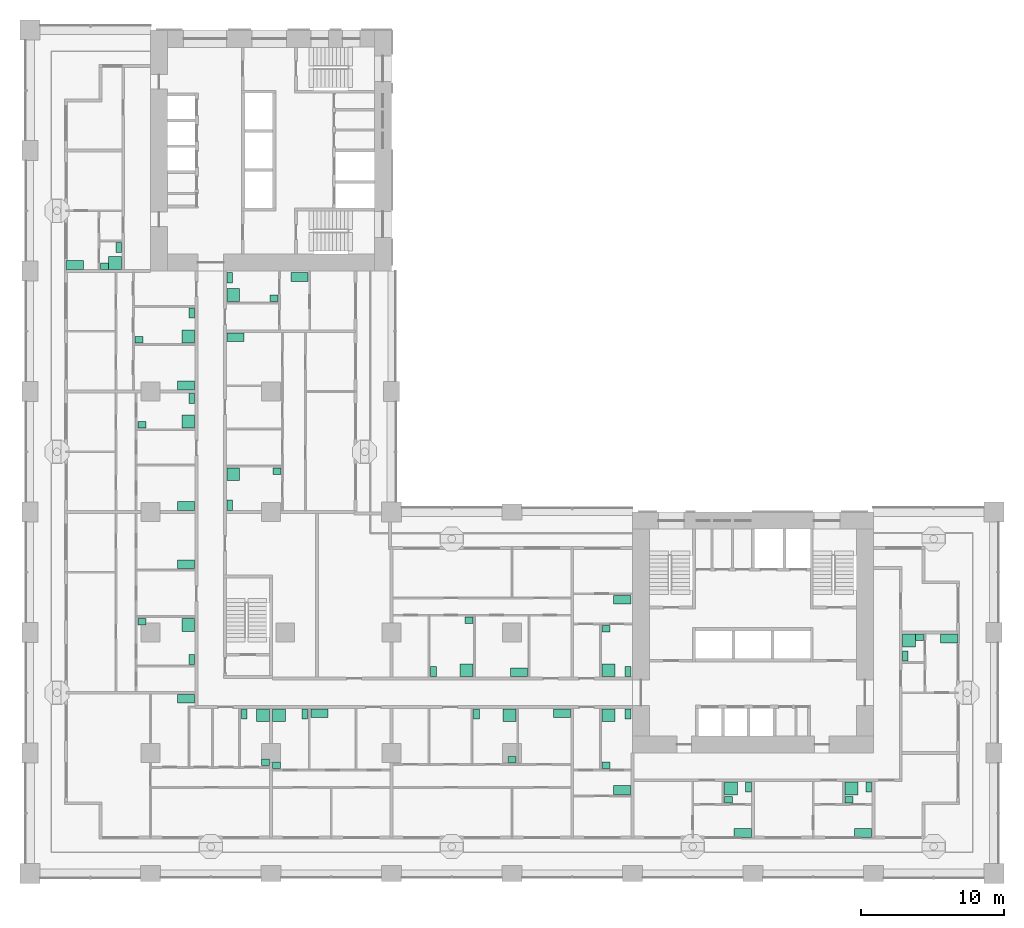
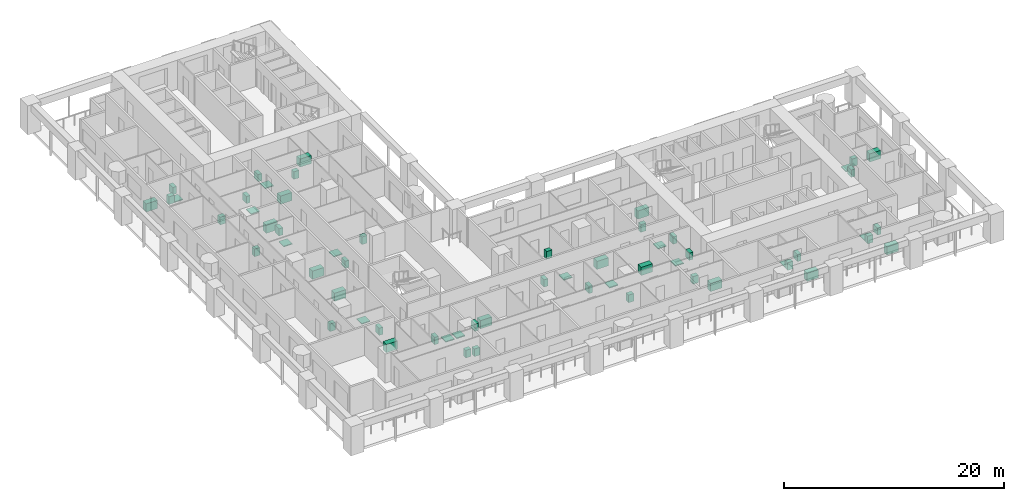
# One storey, part 20 of 22: 60 sanitary terminals.
"""IFC4 building model written with IfcOpenShell, lengths in metres."""

from ifc_helpers import new_model, si_unit, direction, frame, origin, origin_2d, place, context, subcontext, project, spatial, rectangle, extrude, material, element, save


model = new_model("IFC4")

# Units and contexts
model_context = context("Model", 3, precision=1e-05, world=origin(), true_north=direction((0.0, 1.0)))
body_context = subcontext(model_context, "Body", "Model", "MODEL_VIEW")
ifc_project = project(units=[si_unit("LENGTHUNIT", "METRE"), si_unit("AREAUNIT", "SQUARE_METRE"), si_unit("VOLUMEUNIT", "CUBIC_METRE"), si_unit("PLANEANGLEUNIT", "RADIAN"), si_unit("MASSUNIT", "GRAM", prefix="KILO")], contexts=[model_context])

# Site, building, storey
site_placement = place(None, origin())
site = spatial("IfcSite", under=ifc_project, at=site_placement, CompositionType="ELEMENT")
building_placement = place(site_placement, origin())
building = spatial("IfcBuilding", under=site, at=building_placement, Name="Vermilion Gate Residences", CompositionType="ELEMENT")
storey_placement = place(building_placement, frame((0.0, 0.0, 60.199951171875)))
storey = spatial("IfcBuildingStorey", under=building, at=storey_placement, Name="L14", CompositionType="ELEMENT", Elevation=60.199951171875)

# Sanitary terminals
ifc_material_1 = material(Name="Stainless steel", Category="steel")
sanitary_terminal_1_placement = place(storey_placement, frame((10.8798828125, 12.179931640625, 0.0), z_axis=(0.0, 0.0, 1.0), x_axis=(1.0, 0.0, 0.0)))
element("IfcSanitaryTerminal", 1, at=sanitary_terminal_1_placement, inside=storey, material=ifc_material_1, Name="Kitchen sink", PredefinedType="SINK", context=body_context, shape_type="SweptSolid", body=[
    extrude(rectangle(XDim=1.199951171875, YDim=0.60009765625, at=origin_2d()), origin(), (0.0, 0.0, 1.0), 0.89990234375),
])
ifc_material_2 = material(Name="Vitreous china")
sanitary_terminal_2_placement = place(storey_placement, frame((16.22998046875, 11.030029296875, 0.0), z_axis=(0.0, 0.0, 1.0), x_axis=(1.0, 0.0, 0.0)))
element("IfcSanitaryTerminal", 2, at=sanitary_terminal_2_placement, inside=storey, material=ifc_material_2, Name="Shower tray", PredefinedType="SHOWER", context=body_context, shape_type="SweptSolid", body=[
    extrude(rectangle(XDim=0.89990234375, YDim=0.89990234375, at=origin_2d()), origin(), (0.0, 0.0, 1.0), 0.10009765625),
])
sanitary_terminal_3_placement = place(storey_placement, frame((14.930908203125, 11.1298828125, 0.0), z_axis=(0.0, 0.0, 1.0), x_axis=(1.0, 0.0, 0.0)))
element("IfcSanitaryTerminal", 3, at=sanitary_terminal_3_placement, inside=storey, material=ifc_material_2, Name="Toilet", PredefinedType="TOILETPAN", context=body_context, shape_type="SweptSolid", body=[
    extrude(rectangle(XDim=0.39990234375, YDim=0.699951171875, at=origin_2d()), origin(), (0.0, 0.0, 1.0), 0.800048828125),
])
sanitary_terminal_4_placement = place(storey_placement, frame((16.405029296875, 7.7451171875, 0.0), z_axis=(0.0, 0.0, 1.0), x_axis=(1.0, 0.0, 0.0)))
element("IfcSanitaryTerminal", 4, at=sanitary_terminal_4_placement, inside=storey, material=ifc_material_2, Name="Wash basin", PredefinedType="WASHHANDBASIN", context=body_context, shape_type="SweptSolid", body=[
    extrude(rectangle(XDim=0.550048828125, YDim=0.449951171875, at=origin_2d()), origin(), (0.0, 0.0, 1.0), 0.85009765625),
])
sanitary_terminal_5_placement = place(storey_placement, frame((17.3701171875, 11.030029296875, 0.0), z_axis=(0.0, 0.0, 1.0), x_axis=(1.0, 0.0, 0.0)))
element("IfcSanitaryTerminal", 5, at=sanitary_terminal_5_placement, inside=storey, material=ifc_material_2, Name="Shower tray", PredefinedType="SHOWER", context=body_context, shape_type="SweptSolid", body=[
    extrude(rectangle(XDim=0.89990234375, YDim=0.89990234375, at=origin_2d()), origin(), (0.0, 0.0, 1.0), 0.10009765625),
])
sanitary_terminal_6_placement = place(storey_placement, frame((19.14697265625, 11.1298828125, 0.0), z_axis=(0.0, 0.0, 1.0), x_axis=(1.0, 0.0, 0.0)))
element("IfcSanitaryTerminal", 6, at=sanitary_terminal_6_placement, inside=storey, material=ifc_material_2, Name="Toilet", PredefinedType="TOILETPAN", context=body_context, shape_type="SweptSolid", body=[
    extrude(rectangle(XDim=0.39990234375, YDim=0.699951171875, at=origin_2d()), origin(), (0.0, 0.0, 1.0), 0.800048828125),
])
sanitary_terminal_7_placement = place(storey_placement, frame((17.195068359375, 7.544921875, 0.0), z_axis=(0.0, 0.0, 1.0), x_axis=(1.0, 0.0, 0.0)))
element("IfcSanitaryTerminal", 7, at=sanitary_terminal_7_placement, inside=storey, material=ifc_material_2, Name="Wash basin", PredefinedType="WASHHANDBASIN", context=body_context, shape_type="SweptSolid", body=[
    extrude(rectangle(XDim=0.550048828125, YDim=0.449951171875, at=origin_2d()), origin(), (0.0, 0.0, 1.0), 0.85009765625),
])
sanitary_terminal_8_placement = place(storey_placement, frame((20.18701171875, 11.179931640625, 0.0), z_axis=(0.0, 0.0, 1.0), x_axis=(1.0, 0.0, 0.0)))
element("IfcSanitaryTerminal", 8, at=sanitary_terminal_8_placement, inside=storey, material=ifc_material_1, Name="Kitchen sink", PredefinedType="SINK", context=body_context, shape_type="SweptSolid", body=[
    extrude(rectangle(XDim=1.199951171875, YDim=0.60009765625, at=origin_2d()), origin(), (0.0, 0.0, 1.0), 0.89990234375),
])
sanitary_terminal_9_placement = place(storey_placement, frame((33.429931640625, 11.030029296875, 0.0), z_axis=(0.0, 0.0, 1.0), x_axis=(1.0, 0.0, 0.0)))
element("IfcSanitaryTerminal", 9, at=sanitary_terminal_9_placement, inside=storey, material=ifc_material_2, Name="Shower tray", PredefinedType="SHOWER", context=body_context, shape_type="SweptSolid", body=[
    extrude(rectangle(XDim=0.89990234375, YDim=0.89990234375, at=origin_2d()), origin(), (0.0, 0.0, 1.0), 0.10009765625),
])
sanitary_terminal_10_placement = place(storey_placement, frame((31.1201171875, 11.1298828125, 0.0), z_axis=(0.0, 0.0, 1.0), x_axis=(1.0, 0.0, 0.0)))
element("IfcSanitaryTerminal", 10, at=sanitary_terminal_10_placement, inside=storey, material=ifc_material_2, Name="Toilet", PredefinedType="TOILETPAN", context=body_context, shape_type="SweptSolid", body=[
    extrude(rectangle(XDim=0.39990234375, YDim=0.699951171875, at=origin_2d()), origin(), (0.0, 0.0, 1.0), 0.800048828125),
])
sanitary_terminal_11_placement = place(storey_placement, frame((33.60498046875, 7.945068359375, 0.0), z_axis=(0.0, 0.0, 1.0), x_axis=(1.0, 0.0, 0.0)))
element("IfcSanitaryTerminal", 11, at=sanitary_terminal_11_placement, inside=storey, material=ifc_material_2, Name="Wash basin", PredefinedType="WASHHANDBASIN", context=body_context, shape_type="SweptSolid", body=[
    extrude(rectangle(XDim=0.550048828125, YDim=0.449951171875, at=origin_2d()), origin(), (0.0, 0.0, 1.0), 0.85009765625),
])
for number, where, z_axis, x_axis, name in (
    (12, (37.080078125, 11.179931640625, 0.0), (0.0, 0.0, 1.0), (1.0, 0.0, 0.0), "Kitchen sink"),
    (13, (41.280029296875, 5.820068359375, 0.0), (0.0, 0.0, 1.0), (1.0, 0.0, 0.0), "Kitchen sink"),
):
    element("IfcSanitaryTerminal", number, at=place(storey_placement, frame(where, z_axis=z_axis, x_axis=x_axis)), inside=storey, material=ifc_material_1, Name=name, PredefinedType="SINK", context=body_context, shape_type="SweptSolid", body=[
        extrude(rectangle(XDim=1.199951171875, YDim=0.60009765625, at=origin_2d()), origin(), (0.0, 0.0, 1.0), 0.89990234375),
    ])
sanitary_terminal_12_placement = place(storey_placement, frame((40.330078125, 11.030029296875, 0.0), z_axis=(0.0, 0.0, 1.0), x_axis=(1.0, 0.0, 0.0)))
element("IfcSanitaryTerminal", 14, at=sanitary_terminal_12_placement, inside=storey, material=ifc_material_2, Name="Shower tray", PredefinedType="SHOWER", context=body_context, shape_type="SweptSolid", body=[
    extrude(rectangle(XDim=0.89990234375, YDim=0.89990234375, at=origin_2d()), origin(), (0.0, 0.0, 1.0), 0.10009765625),
])
sanitary_terminal_13_placement = place(storey_placement, frame((41.679931640625, 11.1298828125, 0.0), z_axis=(0.0, 0.0, 1.0), x_axis=(1.0, 0.0, 0.0)))
element("IfcSanitaryTerminal", 15, at=sanitary_terminal_13_placement, inside=storey, material=ifc_material_2, Name="Toilet", PredefinedType="TOILETPAN", context=body_context, shape_type="SweptSolid", body=[
    extrude(rectangle(XDim=0.39990234375, YDim=0.699951171875, at=origin_2d()), origin(), (0.0, 0.0, 1.0), 0.800048828125),
])
sanitary_terminal_14_placement = place(storey_placement, frame((40.155029296875, 7.544921875, 0.0), z_axis=(0.0, 0.0, 1.0), x_axis=(1.0, 0.0, 0.0)))
element("IfcSanitaryTerminal", 16, at=sanitary_terminal_14_placement, inside=storey, material=ifc_material_2, Name="Wash basin", PredefinedType="WASHHANDBASIN", context=body_context, shape_type="SweptSolid", body=[
    extrude(rectangle(XDim=0.550048828125, YDim=0.449951171875, at=origin_2d()), origin(), (0.0, 0.0, 1.0), 0.85009765625),
])
sanitary_terminal_15_placement = place(storey_placement, frame((30.429931640625, 14.169921875, 0.0), z_axis=(0.0, 0.0, 1.0), x_axis=(1.0, 0.0, 0.0)))
element("IfcSanitaryTerminal", 17, at=sanitary_terminal_15_placement, inside=storey, material=ifc_material_2, Name="Shower tray", PredefinedType="SHOWER", context=body_context, shape_type="SweptSolid", body=[
    extrude(rectangle(XDim=0.89990234375, YDim=0.89990234375, at=origin_2d()), origin(), (0.0, 0.0, 1.0), 0.10009765625),
])
sanitary_terminal_16_placement = place(storey_placement, frame((28.1201171875, 14.070068359375, 0.0), z_axis=(0.0, 0.0, 1.0), x_axis=(1.0, 0.0, 0.0)))
element("IfcSanitaryTerminal", 18, at=sanitary_terminal_16_placement, inside=storey, material=ifc_material_2, Name="Toilet", PredefinedType="TOILETPAN", context=body_context, shape_type="SweptSolid", body=[
    extrude(rectangle(XDim=0.39990234375, YDim=0.699951171875, at=origin_2d()), origin(), (0.0, 0.0, 1.0), 0.800048828125),
])
sanitary_terminal_17_placement = place(storey_placement, frame((30.60498046875, 17.655029296875, 0.0), z_axis=(0.0, 0.0, 1.0), x_axis=(1.0, 0.0, 0.0)))
element("IfcSanitaryTerminal", 19, at=sanitary_terminal_17_placement, inside=storey, material=ifc_material_2, Name="Wash basin", PredefinedType="WASHHANDBASIN", context=body_context, shape_type="SweptSolid", body=[
    extrude(rectangle(XDim=0.550048828125, YDim=0.449951171875, at=origin_2d()), origin(), (0.0, 0.0, 1.0), 0.85009765625),
])
for number, where, z_axis, x_axis, name in (
    (20, (34.080078125, 14.02001953125, 0.0), (0.0, 0.0, 1.0), (1.0, 0.0, 0.0), "Kitchen sink"),
    (21, (41.280029296875, 19.080078125, 0.0), (0.0, 0.0, 1.0), (1.0, 0.0, 0.0), "Kitchen sink"),
):
    element("IfcSanitaryTerminal", number, at=place(storey_placement, frame(where, z_axis=z_axis, x_axis=x_axis)), inside=storey, material=ifc_material_1, Name=name, PredefinedType="SINK", context=body_context, shape_type="SweptSolid", body=[
        extrude(rectangle(XDim=1.199951171875, YDim=0.60009765625, at=origin_2d()), origin(), (0.0, 0.0, 1.0), 0.89990234375),
    ])
sanitary_terminal_18_placement = place(storey_placement, frame((40.330078125, 14.169921875, 0.0), z_axis=(0.0, 0.0, 1.0), x_axis=(1.0, 0.0, 0.0)))
element("IfcSanitaryTerminal", 22, at=sanitary_terminal_18_placement, inside=storey, material=ifc_material_2, Name="Shower tray", PredefinedType="SHOWER", context=body_context, shape_type="SweptSolid", body=[
    extrude(rectangle(XDim=0.89990234375, YDim=0.89990234375, at=origin_2d()), origin(), (0.0, 0.0, 1.0), 0.10009765625),
])
sanitary_terminal_19_placement = place(storey_placement, frame((41.679931640625, 14.070068359375, 0.0), z_axis=(0.0, 0.0, 1.0), x_axis=(1.0, 0.0, 0.0)))
element("IfcSanitaryTerminal", 23, at=sanitary_terminal_19_placement, inside=storey, material=ifc_material_2, Name="Toilet", PredefinedType="TOILETPAN", context=body_context, shape_type="SweptSolid", body=[
    extrude(rectangle(XDim=0.39990234375, YDim=0.699951171875, at=origin_2d()), origin(), (0.0, 0.0, 1.0), 0.800048828125),
])
sanitary_terminal_20_placement = place(storey_placement, frame((40.155029296875, 17.054931640625, 0.0), z_axis=(0.0, 0.0, 1.0), x_axis=(1.0, 0.0, 0.0)))
element("IfcSanitaryTerminal", 24, at=sanitary_terminal_20_placement, inside=storey, material=ifc_material_2, Name="Wash basin", PredefinedType="WASHHANDBASIN", context=body_context, shape_type="SweptSolid", body=[
    extrude(rectangle(XDim=0.550048828125, YDim=0.449951171875, at=origin_2d()), origin(), (0.0, 0.0, 1.0), 0.85009765625),
])
sanitary_terminal_21_placement = place(storey_placement, frame((11.030029296875, 17.330078125, 0.0), z_axis=(0.0, 0.0, 1.0), x_axis=(1.0, 0.0, 0.0)))
element("IfcSanitaryTerminal", 25, at=sanitary_terminal_21_placement, inside=storey, material=ifc_material_2, Name="Shower tray", PredefinedType="SHOWER", context=body_context, shape_type="SweptSolid", body=[
    extrude(rectangle(XDim=0.89990234375, YDim=0.89990234375, at=origin_2d()), origin(), (0.0, 0.0, 1.0), 0.10009765625),
])
sanitary_terminal_22_placement = place(storey_placement, frame((11.280029296875, 14.919921875, 0.0), z_axis=(0.0, 0.0, 1.0), x_axis=(1.0, 0.0, 0.0)))
element("IfcSanitaryTerminal", 26, at=sanitary_terminal_22_placement, inside=storey, material=ifc_material_2, Name="Toilet", PredefinedType="TOILETPAN", context=body_context, shape_type="SweptSolid", body=[
    extrude(rectangle(XDim=0.39990234375, YDim=0.699951171875, at=origin_2d()), origin(), (0.0, 0.0, 1.0), 0.800048828125),
])
sanitary_terminal_23_placement = place(storey_placement, frame((7.794921875, 17.554931640625, 0.0), z_axis=(0.0, 0.0, 1.0), x_axis=(1.0, 0.0, 0.0)))
element("IfcSanitaryTerminal", 27, at=sanitary_terminal_23_placement, inside=storey, material=ifc_material_2, Name="Wash basin", PredefinedType="WASHHANDBASIN", context=body_context, shape_type="SweptSolid", body=[
    extrude(rectangle(XDim=0.550048828125, YDim=0.449951171875, at=origin_2d()), origin(), (0.0, 0.0, 1.0), 0.85009765625),
])
for number, where, z_axis, x_axis, name in (
    (28, (10.8798828125, 21.570068359375, 0.0), (0.0, 0.0, 1.0), (1.0, 0.0, 0.0), "Kitchen sink"),
    (29, (10.8798828125, 25.6201171875, 0.0), (0.0, 0.0, 1.0), (1.0, 0.0, 0.0), "Kitchen sink"),
):
    element("IfcSanitaryTerminal", number, at=place(storey_placement, frame(where, z_axis=z_axis, x_axis=x_axis)), inside=storey, material=ifc_material_1, Name=name, PredefinedType="SINK", context=body_context, shape_type="SweptSolid", body=[
        extrude(rectangle(XDim=1.199951171875, YDim=0.60009765625, at=origin_2d()), origin(), (0.0, 0.0, 1.0), 0.89990234375),
    ])
sanitary_terminal_24_placement = place(storey_placement, frame((11.030029296875, 31.5029296875, 0.0), z_axis=(0.0, 0.0, 1.0), x_axis=(1.0, 0.0, 0.0)))
element("IfcSanitaryTerminal", 30, at=sanitary_terminal_24_placement, inside=storey, material=ifc_material_2, Name="Shower tray", PredefinedType="SHOWER", context=body_context, shape_type="SweptSolid", body=[
    extrude(rectangle(XDim=0.89990234375, YDim=0.89990234375, at=origin_2d()), origin(), (0.0, 0.0, 1.0), 0.10009765625),
])
sanitary_terminal_25_placement = place(storey_placement, frame((11.280029296875, 33.1298828125, 0.0), z_axis=(0.0, 0.0, 1.0), x_axis=(1.0, 0.0, 0.0)))
element("IfcSanitaryTerminal", 31, at=sanitary_terminal_25_placement, inside=storey, material=ifc_material_2, Name="Toilet", PredefinedType="TOILETPAN", context=body_context, shape_type="SweptSolid", body=[
    extrude(rectangle(XDim=0.39990234375, YDim=0.699951171875, at=origin_2d()), origin(), (0.0, 0.0, 1.0), 0.800048828125),
])
sanitary_terminal_26_placement = place(storey_placement, frame((7.794921875, 31.278076171875, 0.0), z_axis=(0.0, 0.0, 1.0), x_axis=(1.0, 0.0, 0.0)))
element("IfcSanitaryTerminal", 32, at=sanitary_terminal_26_placement, inside=storey, material=ifc_material_2, Name="Wash basin", PredefinedType="WASHHANDBASIN", context=body_context, shape_type="SweptSolid", body=[
    extrude(rectangle(XDim=0.550048828125, YDim=0.449951171875, at=origin_2d()), origin(), (0.0, 0.0, 1.0), 0.85009765625),
])
sanitary_terminal_27_placement = place(storey_placement, frame((10.8798828125, 34.02001953125, 0.0), z_axis=(0.0, 0.0, 1.0), x_axis=(1.0, 0.0, 0.0)))
element("IfcSanitaryTerminal", 33, at=sanitary_terminal_27_placement, inside=storey, material=ifc_material_1, Name="Kitchen sink", PredefinedType="SINK", context=body_context, shape_type="SweptSolid", body=[
    extrude(rectangle(XDim=1.199951171875, YDim=0.60009765625, at=origin_2d()), origin(), (0.0, 0.0, 1.0), 0.89990234375),
])
sanitary_terminal_28_placement = place(storey_placement, frame((11.030029296875, 37.43701171875, 0.0), z_axis=(0.0, 0.0, 1.0), x_axis=(1.0, 0.0, 0.0)))
element("IfcSanitaryTerminal", 34, at=sanitary_terminal_28_placement, inside=storey, material=ifc_material_2, Name="Shower tray", PredefinedType="SHOWER", context=body_context, shape_type="SweptSolid", body=[
    extrude(rectangle(XDim=0.89990234375, YDim=0.89990234375, at=origin_2d()), origin(), (0.0, 0.0, 1.0), 0.10009765625),
])
sanitary_terminal_29_placement = place(storey_placement, frame((11.280029296875, 39.06298828125, 0.0), z_axis=(0.0, 0.0, 1.0), x_axis=(1.0, 0.0, 0.0)))
element("IfcSanitaryTerminal", 35, at=sanitary_terminal_29_placement, inside=storey, material=ifc_material_2, Name="Toilet", PredefinedType="TOILETPAN", context=body_context, shape_type="SweptSolid", body=[
    extrude(rectangle(XDim=0.39990234375, YDim=0.699951171875, at=origin_2d()), origin(), (0.0, 0.0, 1.0), 0.800048828125),
])
sanitary_terminal_30_placement = place(storey_placement, frame((7.594970703125, 37.2119140625, 0.0), z_axis=(0.0, 0.0, 1.0), x_axis=(1.0, 0.0, 0.0)))
element("IfcSanitaryTerminal", 36, at=sanitary_terminal_30_placement, inside=storey, material=ifc_material_2, Name="Wash basin", PredefinedType="WASHHANDBASIN", context=body_context, shape_type="SweptSolid", body=[
    extrude(rectangle(XDim=0.550048828125, YDim=0.449951171875, at=origin_2d()), origin(), (0.0, 0.0, 1.0), 0.85009765625),
])
sanitary_terminal_31_placement = place(storey_placement, frame((14.169921875, 27.830078125, 0.0), z_axis=(0.0, 0.0, 1.0), x_axis=(1.0, 0.0, 0.0)))
element("IfcSanitaryTerminal", 37, at=sanitary_terminal_31_placement, inside=storey, material=ifc_material_2, Name="Shower tray", PredefinedType="SHOWER", context=body_context, shape_type="SweptSolid", body=[
    extrude(rectangle(XDim=0.89990234375, YDim=0.89990234375, at=origin_2d()), origin(), (0.0, 0.0, 1.0), 0.10009765625),
])
sanitary_terminal_32_placement = place(storey_placement, frame((13.919921875, 25.669921875, 0.0), z_axis=(0.0, 0.0, 1.0), x_axis=(1.0, 0.0, 0.0)))
element("IfcSanitaryTerminal", 38, at=sanitary_terminal_32_placement, inside=storey, material=ifc_material_2, Name="Toilet", PredefinedType="TOILETPAN", context=body_context, shape_type="SweptSolid", body=[
    extrude(rectangle(XDim=0.39990234375, YDim=0.699951171875, at=origin_2d()), origin(), (0.0, 0.0, 1.0), 0.800048828125),
])
sanitary_terminal_33_placement = place(storey_placement, frame((17.205078125, 28.054931640625, 0.0), z_axis=(0.0, 0.0, 1.0), x_axis=(1.0, 0.0, 0.0)))
element("IfcSanitaryTerminal", 39, at=sanitary_terminal_33_placement, inside=storey, material=ifc_material_2, Name="Wash basin", PredefinedType="WASHHANDBASIN", context=body_context, shape_type="SweptSolid", body=[
    extrude(rectangle(XDim=0.550048828125, YDim=0.449951171875, at=origin_2d()), origin(), (0.0, 0.0, 1.0), 0.85009765625),
])
for number, where, z_axis, x_axis, name in (
    (40, (14.320068359375, 37.3798828125, 0.0), (0.0, 0.0, 1.0), (1.0, 0.0, 0.0), "Kitchen sink"),
    (41, (18.780029296875, 41.580078125, 0.0), (0.0, 0.0, 1.0), (1.0, 0.0, 0.0), "Kitchen sink"),
):
    element("IfcSanitaryTerminal", number, at=place(storey_placement, frame(where, z_axis=z_axis, x_axis=x_axis)), inside=storey, material=ifc_material_1, Name=name, PredefinedType="SINK", context=body_context, shape_type="SweptSolid", body=[
        extrude(rectangle(XDim=1.199951171875, YDim=0.60009765625, at=origin_2d()), origin(), (0.0, 0.0, 1.0), 0.89990234375),
    ])
sanitary_terminal_34_placement = place(storey_placement, frame((14.169921875, 40.330078125, 0.0), z_axis=(0.0, 0.0, 1.0), x_axis=(1.0, 0.0, 0.0)))
element("IfcSanitaryTerminal", 42, at=sanitary_terminal_34_placement, inside=storey, material=ifc_material_2, Name="Shower tray", PredefinedType="SHOWER", context=body_context, shape_type="SweptSolid", body=[
    extrude(rectangle(XDim=0.89990234375, YDim=0.89990234375, at=origin_2d()), origin(), (0.0, 0.0, 1.0), 0.10009765625),
])
sanitary_terminal_35_placement = place(storey_placement, frame((13.919921875, 41.530029296875, 0.0), z_axis=(0.0, 0.0, 1.0), x_axis=(1.0, 0.0, 0.0)))
element("IfcSanitaryTerminal", 43, at=sanitary_terminal_35_placement, inside=storey, material=ifc_material_2, Name="Toilet", PredefinedType="TOILETPAN", context=body_context, shape_type="SweptSolid", body=[
    extrude(rectangle(XDim=0.39990234375, YDim=0.699951171875, at=origin_2d()), origin(), (0.0, 0.0, 1.0), 0.800048828125),
])
sanitary_terminal_36_placement = place(storey_placement, frame((17.0048828125, 40.10498046875, 0.0), z_axis=(0.0, 0.0, 1.0), x_axis=(1.0, 0.0, 0.0)))
element("IfcSanitaryTerminal", 44, at=sanitary_terminal_36_placement, inside=storey, material=ifc_material_2, Name="Wash basin", PredefinedType="WASHHANDBASIN", context=body_context, shape_type="SweptSolid", body=[
    extrude(rectangle(XDim=0.550048828125, YDim=0.449951171875, at=origin_2d()), origin(), (0.0, 0.0, 1.0), 0.85009765625),
])
sanitary_terminal_37_placement = place(storey_placement, frame((49.679931640625, 2.820068359375, 0.0), z_axis=(0.0, 0.0, 1.0), x_axis=(1.0, 0.0, 0.0)))
element("IfcSanitaryTerminal", 45, at=sanitary_terminal_37_placement, inside=storey, material=ifc_material_1, Name="Kitchen sink", PredefinedType="SINK", context=body_context, shape_type="SweptSolid", body=[
    extrude(rectangle(XDim=1.199951171875, YDim=0.60009765625, at=origin_2d()), origin(), (0.0, 0.0, 1.0), 0.89990234375),
])
sanitary_terminal_38_placement = place(storey_placement, frame((48.8701171875, 5.929931640625, 0.0), z_axis=(0.0, 0.0, 1.0), x_axis=(1.0, 0.0, 0.0)))
element("IfcSanitaryTerminal", 46, at=sanitary_terminal_38_placement, inside=storey, material=ifc_material_2, Name="Shower tray", PredefinedType="SHOWER", context=body_context, shape_type="SweptSolid", body=[
    extrude(rectangle(XDim=0.89990234375, YDim=0.89990234375, at=origin_2d()), origin(), (0.0, 0.0, 1.0), 0.10009765625),
])
sanitary_terminal_39_placement = place(storey_placement, frame((50.080078125, 6.030029296875, 0.0), z_axis=(0.0, 0.0, 1.0), x_axis=(1.0, 0.0, 0.0)))
element("IfcSanitaryTerminal", 47, at=sanitary_terminal_39_placement, inside=storey, material=ifc_material_2, Name="Toilet", PredefinedType="TOILETPAN", context=body_context, shape_type="SweptSolid", body=[
    extrude(rectangle(XDim=0.39990234375, YDim=0.699951171875, at=origin_2d()), origin(), (0.0, 0.0, 1.0), 0.800048828125),
])
sanitary_terminal_40_placement = place(storey_placement, frame((48.695068359375, 5.14501953125, 0.0), z_axis=(0.0, 0.0, 1.0), x_axis=(1.0, 0.0, 0.0)))
element("IfcSanitaryTerminal", 48, at=sanitary_terminal_40_placement, inside=storey, material=ifc_material_2, Name="Wash basin", PredefinedType="WASHHANDBASIN", context=body_context, shape_type="SweptSolid", body=[
    extrude(rectangle(XDim=0.550048828125, YDim=0.449951171875, at=origin_2d()), origin(), (0.0, 0.0, 1.0), 0.85009765625),
])
sanitary_terminal_41_placement = place(storey_placement, frame((58.080078125, 2.820068359375, 0.0), z_axis=(0.0, 0.0, 1.0), x_axis=(1.0, 0.0, 0.0)))
element("IfcSanitaryTerminal", 49, at=sanitary_terminal_41_placement, inside=storey, material=ifc_material_1, Name="Kitchen sink", PredefinedType="SINK", context=body_context, shape_type="SweptSolid", body=[
    extrude(rectangle(XDim=1.199951171875, YDim=0.60009765625, at=origin_2d()), origin(), (0.0, 0.0, 1.0), 0.89990234375),
])
sanitary_terminal_42_placement = place(storey_placement, frame((57.27001953125, 5.929931640625, 0.0), z_axis=(0.0, 0.0, 1.0), x_axis=(1.0, 0.0, 0.0)))
element("IfcSanitaryTerminal", 50, at=sanitary_terminal_42_placement, inside=storey, material=ifc_material_2, Name="Shower tray", PredefinedType="SHOWER", context=body_context, shape_type="SweptSolid", body=[
    extrude(rectangle(XDim=0.89990234375, YDim=0.89990234375, at=origin_2d()), origin(), (0.0, 0.0, 1.0), 0.10009765625),
])
sanitary_terminal_43_placement = place(storey_placement, frame((58.47998046875, 6.030029296875, 0.0), z_axis=(0.0, 0.0, 1.0), x_axis=(1.0, 0.0, 0.0)))
element("IfcSanitaryTerminal", 51, at=sanitary_terminal_43_placement, inside=storey, material=ifc_material_2, Name="Toilet", PredefinedType="TOILETPAN", context=body_context, shape_type="SweptSolid", body=[
    extrude(rectangle(XDim=0.39990234375, YDim=0.699951171875, at=origin_2d()), origin(), (0.0, 0.0, 1.0), 0.800048828125),
])
sanitary_terminal_44_placement = place(storey_placement, frame((57.094970703125, 5.14501953125, 0.0), z_axis=(0.0, 0.0, 1.0), x_axis=(1.0, 0.0, 0.0)))
element("IfcSanitaryTerminal", 52, at=sanitary_terminal_44_placement, inside=storey, material=ifc_material_2, Name="Wash basin", PredefinedType="WASHHANDBASIN", context=body_context, shape_type="SweptSolid", body=[
    extrude(rectangle(XDim=0.550048828125, YDim=0.449951171875, at=origin_2d()), origin(), (0.0, 0.0, 1.0), 0.85009765625),
])
sanitary_terminal_45_placement = place(storey_placement, frame((64.080078125, 16.3798828125, 0.0), z_axis=(0.0, 0.0, 1.0), x_axis=(1.0, 0.0, 0.0)))
element("IfcSanitaryTerminal", 53, at=sanitary_terminal_45_placement, inside=storey, material=ifc_material_1, Name="Kitchen sink", PredefinedType="SINK", context=body_context, shape_type="SweptSolid", body=[
    extrude(rectangle(XDim=1.199951171875, YDim=0.60009765625, at=origin_2d()), origin(), (0.0, 0.0, 1.0), 0.89990234375),
])
sanitary_terminal_46_placement = place(storey_placement, frame((61.27001953125, 16.22998046875, 0.0), z_axis=(0.0, 0.0, 1.0), x_axis=(1.0, 0.0, 0.0)))
element("IfcSanitaryTerminal", 54, at=sanitary_terminal_46_placement, inside=storey, material=ifc_material_2, Name="Shower tray", PredefinedType="SHOWER", context=body_context, shape_type="SweptSolid", body=[
    extrude(rectangle(XDim=0.89990234375, YDim=0.89990234375, at=origin_2d()), origin(), (0.0, 0.0, 1.0), 0.10009765625),
])
sanitary_terminal_47_placement = place(storey_placement, frame((61.02001953125, 15.169921875, 0.0), z_axis=(0.0, 0.0, 1.0), x_axis=(1.0, 0.0, 0.0)))
element("IfcSanitaryTerminal", 55, at=sanitary_terminal_47_placement, inside=storey, material=ifc_material_2, Name="Toilet", PredefinedType="TOILETPAN", context=body_context, shape_type="SweptSolid", body=[
    extrude(rectangle(XDim=0.39990234375, YDim=0.699951171875, at=origin_2d()), origin(), (0.0, 0.0, 1.0), 0.800048828125),
])
sanitary_terminal_48_placement = place(storey_placement, frame((62.0048828125, 16.455078125, 0.0), z_axis=(0.0, 0.0, 1.0), x_axis=(1.0, 0.0, 0.0)))
element("IfcSanitaryTerminal", 56, at=sanitary_terminal_48_placement, inside=storey, material=ifc_material_2, Name="Wash basin", PredefinedType="WASHHANDBASIN", context=body_context, shape_type="SweptSolid", body=[
    extrude(rectangle(XDim=0.550048828125, YDim=0.449951171875, at=origin_2d()), origin(), (0.0, 0.0, 1.0), 0.85009765625),
])
sanitary_terminal_49_placement = place(storey_placement, frame((3.1201171875, 42.419921875, 0.0), z_axis=(0.0, 0.0, 1.0), x_axis=(1.0, 0.0, 0.0)))
element("IfcSanitaryTerminal", 57, at=sanitary_terminal_49_placement, inside=storey, material=ifc_material_1, Name="Kitchen sink", PredefinedType="SINK", context=body_context, shape_type="SweptSolid", body=[
    extrude(rectangle(XDim=1.199951171875, YDim=0.60009765625, at=origin_2d()), origin(), (0.0, 0.0, 1.0), 0.89990234375),
])
sanitary_terminal_50_placement = place(storey_placement, frame((5.929931640625, 42.570068359375, 0.0), z_axis=(0.0, 0.0, 1.0), x_axis=(1.0, 0.0, 0.0)))
element("IfcSanitaryTerminal", 58, at=sanitary_terminal_50_placement, inside=storey, material=ifc_material_2, Name="Shower tray", PredefinedType="SHOWER", context=body_context, shape_type="SweptSolid", body=[
    extrude(rectangle(XDim=0.89990234375, YDim=0.89990234375, at=origin_2d()), origin(), (0.0, 0.0, 1.0), 0.10009765625),
])
sanitary_terminal_51_placement = place(storey_placement, frame((6.179931640625, 43.6298828125, 0.0), z_axis=(0.0, 0.0, 1.0), x_axis=(1.0, 0.0, 0.0)))
element("IfcSanitaryTerminal", 59, at=sanitary_terminal_51_placement, inside=storey, material=ifc_material_2, Name="Toilet", PredefinedType="TOILETPAN", context=body_context, shape_type="SweptSolid", body=[
    extrude(rectangle(XDim=0.39990234375, YDim=0.699951171875, at=origin_2d()), origin(), (0.0, 0.0, 1.0), 0.800048828125),
])
sanitary_terminal_52_placement = place(storey_placement, frame((5.195068359375, 42.344970703125, 0.0), z_axis=(0.0, 0.0, 1.0), x_axis=(1.0, 0.0, 0.0)))
element("IfcSanitaryTerminal", 60, at=sanitary_terminal_52_placement, inside=storey, material=ifc_material_2, Name="Wash basin", PredefinedType="WASHHANDBASIN", context=body_context, shape_type="SweptSolid", body=[
    extrude(rectangle(XDim=0.550048828125, YDim=0.449951171875, at=origin_2d()), origin(), (0.0, 0.0, 1.0), 0.85009765625),
])

save(model, "model.ifc")
